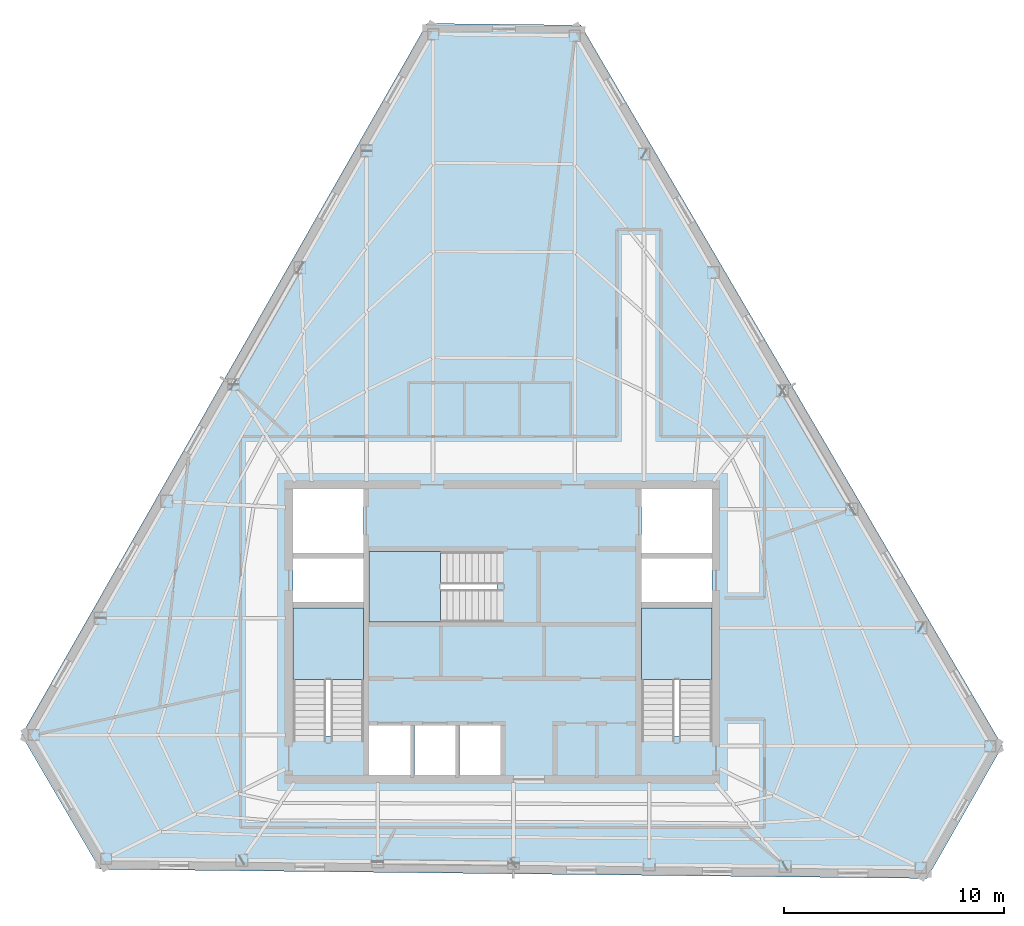
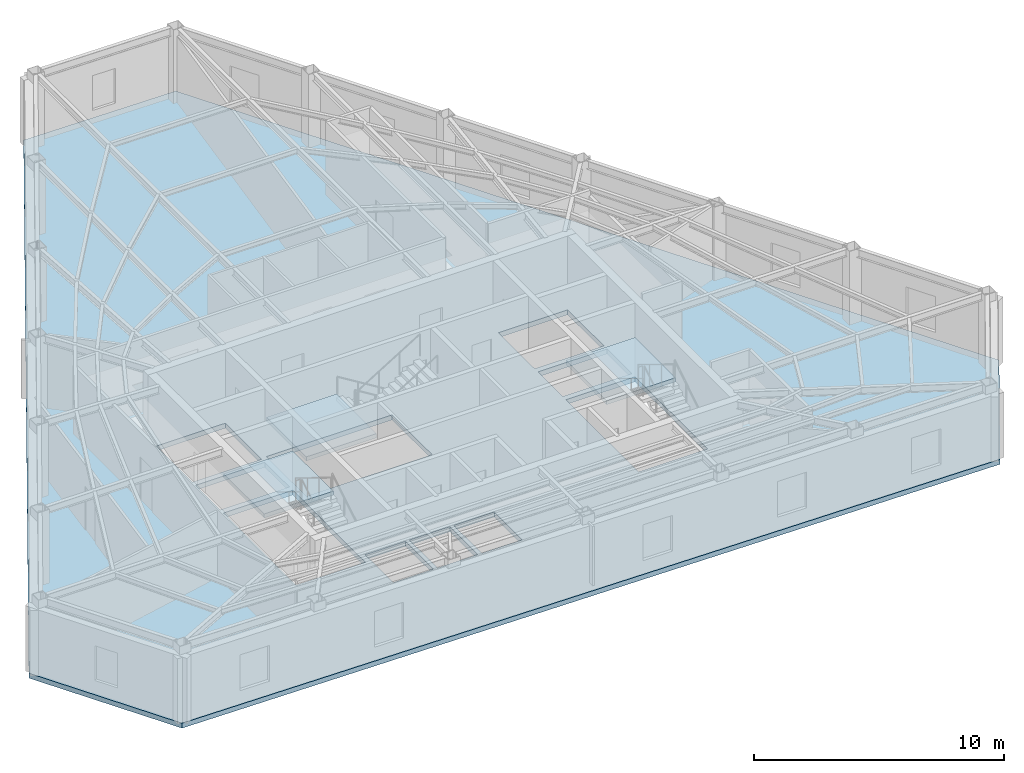
# One storey, part 3 of 10: 4 slabs, 3 elements without a shape of their own.
"""IFC4 building model written with IfcOpenShell, lengths in metres."""

import ifcopenshell
import ifcopenshell.guid

model = None  # the IFC model being written
_history = None  # IfcOwnerHistory: only IFC2X3 demands one
_inside = {}  # id of a spatial element -> (the spatial element, [elements in it])
_under = {}  # id of a project, library or spatial element -> (it, [spatial elements below it])
_declared = {}  # id of a project -> (the project, [libraries it declares])
_typed = {}  # id of a type object -> (the type object, [elements of that type])
_made_of = {}  # id of a material, layer set ... -> (it, [elements and type objects made of it])


def new_model(schema):
    """Start an empty IFC model of exactly this schema.

    Asked for "IFC4X3", IfcOpenShell would pick the latest addendum, in which some entities
    have other attributes; the version numbers below select the first issue.
    IFC2X3 requires an IfcOwnerHistory on every rooted entity: one is made here for all.
    """
    global model, _history
    if schema == "IFC4X3":
        model = ifcopenshell.file(schema_version=(4, 3, 0, 0))
    else:
        model = ifcopenshell.file(schema=schema)
    _inside.clear()
    _under.clear()
    _declared.clear()
    _typed.clear()
    _made_of.clear()
    _history = None
    if model.schema == "IFC2X3":
        org = make("IfcOrganization", Name="unknown")
        user = make(
            "IfcPersonAndOrganization",
            ThePerson=make("IfcPerson", FamilyName="unknown"),
            TheOrganization=org,
        )
        app = make(
            "IfcApplication",
            ApplicationDeveloper=org,
            Version="unknown",
            ApplicationFullName="unknown",
            ApplicationIdentifier="unknown",
        )
        _history = make(
            "IfcOwnerHistory",
            OwningUser=user,
            OwningApplication=app,
            ChangeAction="ADDED",
            CreationDate=0,
        )
    return model


def make(cls, **values):
    """One entity of the class cls with the attributes given. An attribute that is None is left unset."""
    return model.create_entity(
        cls, **{name: value for name, value in values.items() if value is not None}
    )


def rooted(cls, **values):
    """An entity with a GlobalId (a new one), such as an element, a storey or a relation."""
    return make(cls, GlobalId=ifcopenshell.guid.new(), OwnerHistory=_history, **values)


def si_unit(unit_type, name, prefix=None):
    """IfcSIUnit, for example si_unit("LENGTHUNIT", "METRE", prefix="MILLI")."""
    return make("IfcSIUnit", UnitType=unit_type, Prefix=prefix, Name=name)


def assignment(units):
    """IfcUnitAssignment: the units of a project."""
    return None if units is None else make("IfcUnitAssignment", Units=units)


def point(xyz):
    """IfcCartesianPoint."""
    return None if xyz is None else make("IfcCartesianPoint", Coordinates=xyz)


def direction(xyz):
    """IfcDirection."""
    return None if xyz is None else make("IfcDirection", DirectionRatios=xyz)


def frame(location, z_axis=None, x_axis=None):
    """IfcAxis2Placement3D, a coordinate frame: its origin and axes. An axis left out is left unset."""
    return make(
        "IfcAxis2Placement3D",
        Location=point(location),
        Axis=direction(z_axis),
        RefDirection=direction(x_axis),
    )


def origin():
    """The frame at (0, 0, 0) with its axes left unset."""
    return frame((0.0, 0.0, 0.0))


def place(relative_to, where):
    """IfcLocalPlacement: puts the frame where relative to a parent placement (None: the world)."""
    return make(
        "IfcLocalPlacement", PlacementRelTo=relative_to, RelativePlacement=where
    )


def context(
    kind, dimensions, precision=None, world=None, true_north=None, identifier=None
):
    """IfcGeometricRepresentationContext, for example the 3D "Model" context."""
    return make(
        "IfcGeometricRepresentationContext",
        ContextIdentifier=identifier,
        ContextType=kind,
        CoordinateSpaceDimension=dimensions,
        Precision=precision,
        WorldCoordinateSystem=world,
        TrueNorth=true_north,
    )


def subcontext(parent, identifier, kind, view, scale=None):
    """IfcGeometricRepresentationSubContext, for example "Body" below "Model"."""
    return make(
        "IfcGeometricRepresentationSubContext",
        ContextIdentifier=identifier,
        ContextType=kind,
        ParentContext=parent,
        TargetScale=scale,
        TargetView=view,
    )


def project(units=None, contexts=None):
    """IfcProject with its units and contexts."""
    return rooted(
        "IfcProject",
        Name="project",
        RepresentationContexts=contexts,
        UnitsInContext=assignment(units),
    )


def spatial(cls, under=None, at=None, **own):
    """A site, building, storey or space (cls), placed at a placement, below another one or the project."""
    s = rooted(cls, ObjectPlacement=at, **own)
    if under is not None:
        _under.setdefault(under.id(), (under, []))[1].append(s)
    return s


def polyline(points):
    """IfcPolyline through the points."""
    return make("IfcPolyline", Points=[point(p) for p in points])


def outline(outer, holes=None, kind="AREA"):
    """IfcArbitraryClosedProfileDef: a profile drawn as a closed curve; with holes, ...WithVoids."""
    if holes is None:
        return make("IfcArbitraryClosedProfileDef", ProfileType=kind, OuterCurve=outer)
    return make(
        "IfcArbitraryProfileDefWithVoids",
        ProfileType=kind,
        OuterCurve=outer,
        InnerCurves=holes,
    )


def extrude(swept, where, along, depth):
    """IfcExtrudedAreaSolid: the profile swept, set in the frame where, extruded along a direction by depth."""
    return make(
        "IfcExtrudedAreaSolid",
        SweptArea=swept,
        Position=where,
        ExtrudedDirection=direction(along),
        Depth=depth,
    )


def shape(context_of_items, identifier, shape_type, items):
    """IfcShapeRepresentation: the items that make up one representation, for example the "Body"."""
    return make(
        "IfcShapeRepresentation",
        ContextOfItems=context_of_items,
        RepresentationIdentifier=identifier,
        RepresentationType=shape_type,
        Items=items,
    )


def material(Name=None, Category=None):
    """IfcMaterial."""
    return make("IfcMaterial", Name=Name, Category=Category)


def layer(
    of_material, thickness, ventilated=None, Name=None, Category=None, Priority=None
):
    """IfcMaterialLayer: one layer of a wall or slab, of a material (None: an air gap)."""
    return make(
        "IfcMaterialLayer",
        Material=of_material,
        LayerThickness=thickness,
        IsVentilated=ventilated,
        Name=Name,
        Category=Category,
        Priority=Priority,
    )


def layer_set(layers, Name=None):
    """IfcMaterialLayerSet."""
    return make("IfcMaterialLayerSet", MaterialLayers=layers, LayerSetName=Name)


def made_of(thing, what):
    """Note that an element or type object is made of a material, layer set ...; save() writes the relation."""
    if what is not None:
        _made_of.setdefault(what.id(), (what, []))[1].append(thing)
    return thing


def type_object(cls, material=None, **own):
    """A type object (cls), such as IfcWallType, which elements share."""
    return made_of(rooted(cls, **own), material)


def element(
    cls,
    number,
    at=None,
    inside=None,
    cuts=None,
    type_object=None,
    material=None,
    context=None,
    identifier="Body",
    shape_type=None,
    held_by="IfcProductDefinitionShape",
    body=None,
    shapes=None,
    **own,
):
    """One element of the class cls, such as IfcWall. Its Tag is "e" and its number.

    at: its placement. inside: the storey or other place that contains it. cuts: it is an
    opening in that element (IfcRelVoidsElement). A single representation is given by context,
    identifier, shape_type and body (its items); several are given by shapes. held_by: the class
    of the entity that holds the representations. save() writes the other relations.
    """
    e = rooted(cls, Tag="e%d" % number, ObjectPlacement=at, **own)
    if body is not None:
        shapes = [shape(context, identifier, shape_type, body)]
    if shapes is not None:
        e.Representation = make(held_by, Representations=shapes)
    if inside is not None:
        _inside.setdefault(inside.id(), (inside, []))[1].append(e)
    if cuts is not None:
        rooted(
            "IfcRelVoidsElement", RelatingBuildingElement=cuts, RelatedOpeningElement=e
        )
    if type_object is not None:
        _typed.setdefault(type_object.id(), (type_object, []))[1].append(e)
    return made_of(e, material)


def aggregate(whole, parts):
    """IfcRelAggregates: a whole, such as a stair, and the parts it consists of."""
    return rooted("IfcRelAggregates", RelatingObject=whole, RelatedObjects=parts)


def save(model, path):
    """Write the relations noted so far, then the file.

    IfcRelAggregates (storeys below a building ...), IfcRelContainedInSpatialStructure (elements
    in a storey), IfcRelDefinesByType, IfcRelAssociatesMaterial and IfcRelDeclares: one each for
    every whole, place, type object, material and project.
    """
    for whole, parts in _under.values():
        aggregate(whole, parts)
    for where, things in _inside.values():
        rooted(
            "IfcRelContainedInSpatialStructure",
            RelatedElements=things,
            RelatingStructure=where,
        )
    for kind, things in _typed.values():
        rooted("IfcRelDefinesByType", RelatedObjects=things, RelatingType=kind)
    for what, things in _made_of.values():
        rooted("IfcRelAssociatesMaterial", RelatedObjects=things, RelatingMaterial=what)
    for by, libraries in _declared.values():
        rooted("IfcRelDeclares", RelatingContext=by, RelatedDefinitions=libraries)
    model.write(path)


model = new_model("IFC4")

# Units and contexts
model_context = context("Model", 3, precision=1e-05, world=origin(), true_north=direction((0.0, 1.0)))
body_context = subcontext(model_context, "Body", "Model", "MODEL_VIEW")
ifc_project = project(units=[si_unit("LENGTHUNIT", "METRE"), si_unit("AREAUNIT", "SQUARE_METRE"), si_unit("VOLUMEUNIT", "CUBIC_METRE"), si_unit("PLANEANGLEUNIT", "RADIAN"), si_unit("MASSUNIT", "GRAM", prefix="KILO")], contexts=[model_context])

# Site, building, storey
site_placement = place(None, origin())
site = spatial("IfcSite", under=ifc_project, at=site_placement, CompositionType="ELEMENT")
building_placement = place(site_placement, origin())
building = spatial("IfcBuilding", under=site, at=building_placement, Name="Kavelnor Concourse Tower", CompositionType="ELEMENT")
storey_placement = place(building_placement, frame((0.0, 0.0, 254.89990234375)))
storey = spatial("IfcBuildingStorey", under=building, at=storey_placement, Name="L64", CompositionType="ELEMENT", Elevation=254.89990234375)

# Stair, slab
ifc_material = material(Name="Concrete C40/50", Category="concrete")
stair_type = type_object("IfcStairType", Name="STR-CORE-1500", PredefinedType="HALF_TURN_STAIR", material=ifc_material)
stair_1_placement = place(storey_placement, origin())
stair_1 = element("IfcStair", 1, at=stair_1_placement, inside=storey, type_object=stair_type, Name="L64 ST1", PredefinedType="HALF_TURN_STAIR")
ifc_layer_1 = layer(ifc_material, 0.199951171875, Name="Concrete C40/50")
ifc_layer_set_1 = layer_set([ifc_layer_1], Name="Concrete C40/50")
slab_type_1 = type_object("IfcSlabType", Name="SLB-LANDING-200", PredefinedType="LANDING", material=ifc_layer_set_1)
slab_1_placement = place(storey_placement, frame((0.0, 0.0, 1.72509765625)))
slab_1 = element("IfcSlab", 2, at=slab_1_placement, type_object=slab_type_1, Name="ST1 landing 1", PredefinedType="LANDING", context=body_context, shape_type="SweptSolid", body=[
    extrude(outline(polyline([(31.679931640625, 13.949951171875), (31.679931640625, 17.199951171875), (28.47998046875, 17.199951171875), (28.47998046875, 13.949951171875), (31.679931640625, 13.949951171875)])), origin(), (0.0, 0.0, 1.0), 0.199951171875),
])
aggregate(stair_1, [slab_1])

stair_2_placement = place(storey_placement, origin())
stair_2 = element("IfcStair", 3, at=stair_2_placement, inside=storey, type_object=stair_type, Name="L64 ST2", PredefinedType="HALF_TURN_STAIR")
slab_2_placement = place(storey_placement, frame((0.0, 0.0, 1.72509765625)))
slab_2 = element("IfcSlab", 4, at=slab_2_placement, type_object=slab_type_1, Name="ST2 landing 1", PredefinedType="LANDING", context=body_context, shape_type="SweptSolid", body=[
    extrude(outline(polyline([(47.52001953125, 13.949951171875), (47.52001953125, 17.199951171875), (44.320068359375, 17.199951171875), (44.320068359375, 13.949951171875), (47.52001953125, 13.949951171875)])), origin(), (0.0, 0.0, 1.0), 0.199951171875),
])
aggregate(stair_2, [slab_2])

stair_3_placement = place(storey_placement, origin())
stair_3 = element("IfcStair", 5, at=stair_3_placement, inside=storey, type_object=stair_type, Name="L64 ST3", PredefinedType="HALF_TURN_STAIR")
slab_3_placement = place(storey_placement, frame((0.0, 0.0, 1.72509765625)))
slab_3 = element("IfcSlab", 6, at=slab_3_placement, type_object=slab_type_1, Name="ST3 landing 1", PredefinedType="LANDING", context=body_context, shape_type="SweptSolid", body=[
    extrude(outline(polyline([(35.18994140625, 19.760009765625), (31.93994140625, 19.760009765625), (31.93994140625, 16.56005859375), (35.18994140625, 16.56005859375), (35.18994140625, 19.760009765625)])), origin(), (0.0, 0.0, 1.0), 0.199951171875),
])
aggregate(stair_3, [slab_3])

# Slab
ifc_layer_2 = layer(ifc_material, 0.239990234375, Name="Concrete C40/50")
ifc_layer_set_2 = layer_set([ifc_layer_2], Name="Concrete C40/50")
slab_type_2 = type_object("IfcSlabType", Name="SLB-OFFICE-240", PredefinedType="FLOOR", material=ifc_layer_set_2)
slab_4_placement = place(storey_placement, frame((0.0, 0.0, -0.239990234375)))
element("IfcSlab", 7, at=slab_4_placement, inside=storey, type_object=slab_type_2, Name="L64 Composite Structural Floor Slab", PredefinedType="FLOOR", context=body_context, shape_type="SweptSolid", body=[
    extrude(outline(polyline([(41.56591796875, 43.693115234375), (34.569580078125, 43.771240234375), (16.130615234375, 11.4130859375), (19.69677734375, 5.31494140625), (57.303955078125, 4.893798828125), (60.734130859375, 10.913818359375), (41.56591796875, 43.693115234375)]), holes=[polyline([(28.47998046875, 11.3798828125), (31.679931640625, 11.3798828125), (31.679931640625, 17.199951171875), (28.47998046875, 17.199951171875), (28.47998046875, 11.3798828125)]), polyline([(44.320068359375, 11.3798828125), (47.52001953125, 11.3798828125), (47.52001953125, 17.199951171875), (44.320068359375, 17.199951171875), (44.320068359375, 11.3798828125)]), polyline([(31.93994140625, 16.56005859375), (37.760009765625, 16.56005859375), (37.760009765625, 19.760009765625), (31.93994140625, 19.760009765625), (31.93994140625, 16.56005859375)]), polyline([(28.47998046875, 19.699951171875), (31.679931640625, 19.699951171875), (31.679931640625, 22.60009765625), (28.47998046875, 22.60009765625), (28.47998046875, 19.699951171875)]), polyline([(44.320068359375, 19.699951171875), (47.52001953125, 19.699951171875), (47.52001953125, 22.60009765625), (44.320068359375, 22.60009765625), (44.320068359375, 19.699951171875)]), polyline([(31.93994140625, 9.60009765625), (33.81005859375, 9.60009765625), (33.81005859375, 11.840087890625), (31.93994140625, 11.840087890625), (31.93994140625, 9.60009765625)]), polyline([(33.989990234375, 9.60009765625), (35.860107421875, 9.60009765625), (35.860107421875, 11.840087890625), (33.989990234375, 11.840087890625), (33.989990234375, 9.60009765625)]), polyline([(36.0400390625, 9.60009765625), (37.909912109375, 9.60009765625), (37.909912109375, 11.840087890625), (36.0400390625, 11.840087890625), (36.0400390625, 9.60009765625)]), polyline([(28.47998046875, 17.4599609375), (31.679931640625, 17.4599609375), (31.679931640625, 19.43994140625), (28.47998046875, 19.43994140625), (28.47998046875, 17.4599609375)]), polyline([(44.320068359375, 17.4599609375), (47.52001953125, 17.4599609375), (47.52001953125, 19.43994140625), (44.320068359375, 19.43994140625), (44.320068359375, 17.4599609375)])]), origin(), (0.0, 0.0, 1.0), 0.239990234375),
])

save(model, "model.ifc")
